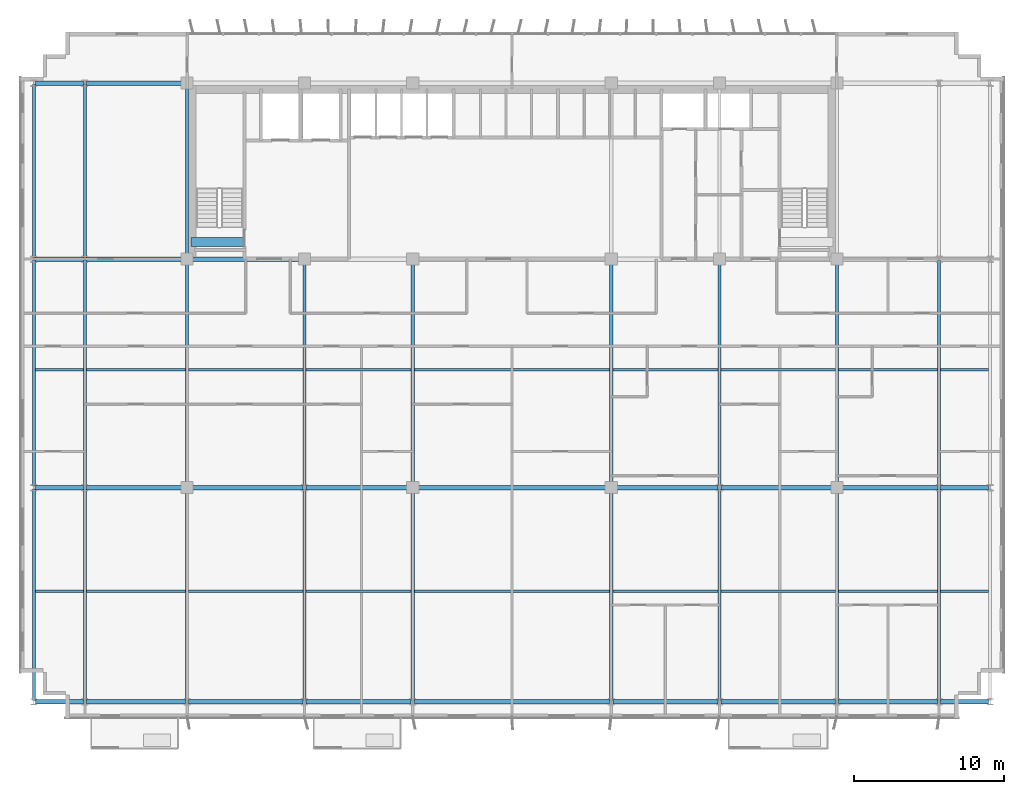
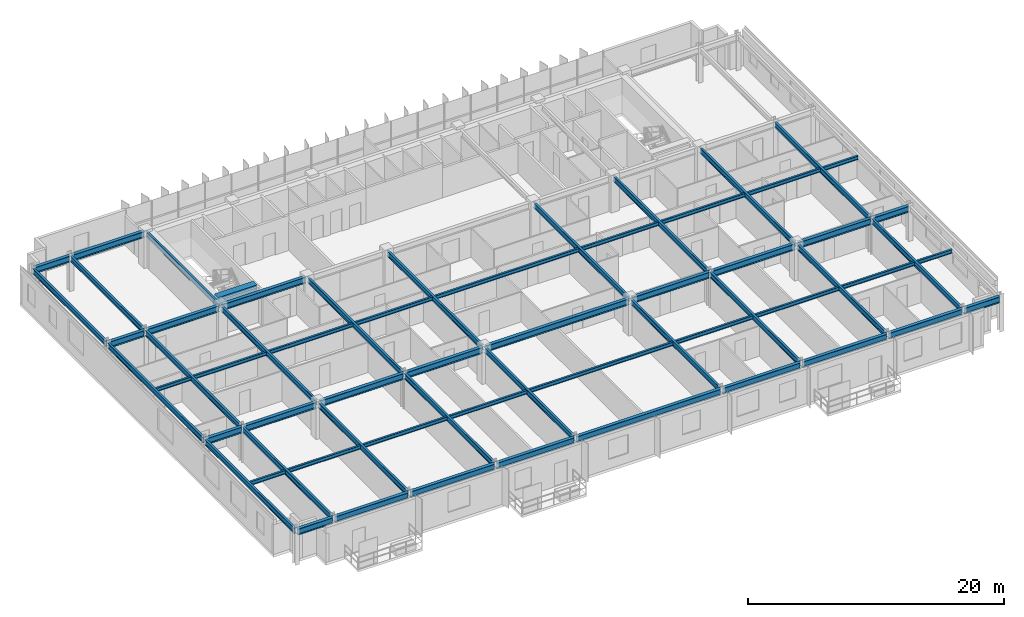
# One storey, part 4 of 21: 63 beams.
"""IFC4 building model written with IfcOpenShell, lengths in metres."""

from ifc_helpers import new_model, si_unit, direction, frame, origin, origin_2d, place, context, subcontext, project, spatial, rectangle, i_section, extrude, source, transform, mapped, material, material_profile, profile_set, type_object, element, save


model = new_model("IFC4")

# Units and contexts
model_context = context("Model", 3, precision=1e-05, world=origin(), true_north=direction((0.0, 1.0)))
body_context = subcontext(model_context, "Body", "Model", "MODEL_VIEW")
ifc_project = project(units=[si_unit("LENGTHUNIT", "METRE"), si_unit("AREAUNIT", "SQUARE_METRE"), si_unit("VOLUMEUNIT", "CUBIC_METRE"), si_unit("PLANEANGLEUNIT", "RADIAN"), si_unit("MASSUNIT", "GRAM", prefix="KILO")], contexts=[model_context])

# Site, building, storey
site_placement = place(None, origin())
site = spatial("IfcSite", under=ifc_project, at=site_placement, CompositionType="ELEMENT")
building_placement = place(site_placement, origin())
building = spatial("IfcBuilding", under=site, at=building_placement, Name="Trelvane Seafront Commons", CompositionType="ELEMENT")
storey_placement = place(building_placement, frame((0.0, 0.0, 106.89990234375)))
storey = spatial("IfcBuildingStorey", under=building, at=storey_placement, Name="L27", CompositionType="ELEMENT", Elevation=106.89990234375)

# Beams
ifc_material_1 = material(Name="Concrete C60/75", Category="concrete")
ifc_material_profile_1 = material_profile(ifc_material_1, rectangle(XDim=0.60009765625, YDim=0.89990234375, at=origin_2d()), Name="RC-600x900")
ifc_profile_set_1 = profile_set([ifc_material_profile_1], Name="Concrete C60/75")
beam_type_1 = type_object("IfcBeamType", Name="STR-LNT-RC600x900", PredefinedType="LINTEL", material=ifc_profile_set_1)
shared_shape_1 = source(origin(), body_context, "Body", "SweptSolid", [
    extrude(rectangle(XDim=0.60009765625, YDim=0.89990234375, at=origin_2d()), origin(), (0.0, 0.0, 1.0), 3.5498046875),
])
beam_1_placement = place(storey_placement, frame((15.85009765625, 34.550048828125, 2.89013671875), z_axis=(1.0, 0.0, 0.0), x_axis=(0.0, 1.0, 0.0)))
element("IfcBeam", 1, at=beam_1_placement, inside=storey, type_object=beam_type_1, Name="L27 Core Coupling Lintel Beam CB-85", PredefinedType="LINTEL", context=body_context, shape_type="MappedRepresentation", body=[
    mapped(shared_shape_1, transform((0.0, 0.0, 0.0), x_axis=(1.0, 0.0, 0.0), y_axis=(0.0, 1.0, 0.0), z_axis=(0.0, 0.0, 1.0), scale=1.0)),
])
ifc_material_2 = material(Name="Steel SM355 (S355)", Category="steel")
ifc_material_profile_2 = material_profile(ifc_material_2, i_section(OverallWidth=0.300048828125, OverallDepth=0.587890625, WebThickness=0.011962890625, FlangeThickness=0.02001953125, at=origin_2d()), Name="H-588x300x12x20")
ifc_profile_set_2 = profile_set([ifc_material_profile_2], Name="Steel SM355 (S355)")
beam_type_2 = type_object("IfcBeamType", Name="STR-BM-H588", PredefinedType="BEAM", material=ifc_profile_set_2)
shared_shape_2 = source(origin(), body_context, "Body", "SweptSolid", [
    extrude(i_section(OverallWidth=0.300048828125, OverallDepth=0.587890625, WebThickness=0.011962890625, FlangeThickness=0.02001953125, at=origin_2d()), origin(), (0.0, 0.0, 1.0), 7.550048828125),
])
beam_2_placement = place(storey_placement, frame((15.75, 18.199951171875, 3.046142578125), z_axis=(1.0, 0.0, 0.0), x_axis=(0.0, 1.0, 0.0)))
element("IfcBeam", 2, at=beam_2_placement, inside=storey, type_object=beam_type_2, Name="L27 Primary Girder G-12", PredefinedType="BEAM", context=body_context, shape_type="MappedRepresentation", body=[
    mapped(shared_shape_2, transform((0.0, 0.0, 0.0), x_axis=(1.0, 0.0, 0.0), y_axis=(0.0, 1.0, 0.0), z_axis=(0.0, 0.0, 1.0), scale=1.0)),
])
shared_shape_3 = source(origin(), body_context, "Body", "SweptSolid", [
    extrude(i_section(OverallWidth=0.300048828125, OverallDepth=0.587890625, WebThickness=0.011962890625, FlangeThickness=0.02001953125, at=origin_2d()), origin(), (0.0, 0.0, 1.0), 3.199951171875),
])
for number, where, z_axis, x_axis, name in (
    (3, (5.5, 3.949951171875, 3.046142578125), (1.0, 0.0, 0.0), (0.0, 1.0, 0.0), "L27 Primary Girder G-01"),
    (4, (65.699951171875, 3.949951171875, 3.046142578125), (1.0, 0.0, 0.0), (0.0, 1.0, 0.0), "L27 Primary Girder G-09"),
    (5, (5.5, 18.199951171875, 3.046142578125), (1.0, 0.0, 0.0), (0.0, 1.0, 0.0), "L27 Primary Girder G-10"),
    (6, (65.699951171875, 18.199951171875, 3.046142578125), (1.0, 0.0, 0.0), (0.0, 1.0, 0.0), "L27 Primary Girder G-18"),
    (7, (5.5, 33.39990234375, 3.046142578125), (1.0, 0.0, 0.0), (0.0, 1.0, 0.0), "L27 Primary Girder G-19"),
    (8, (5.5, 45.10009765625, 3.046142578125), (1.0, 0.0, 0.0), (0.0, 1.0, 0.0), "L27 Primary Girder G-28"),
):
    element("IfcBeam", number, at=place(storey_placement, frame(where, z_axis=z_axis, x_axis=x_axis)), inside=storey, type_object=beam_type_2, Name=name, PredefinedType="BEAM", context=body_context, shape_type="MappedRepresentation", body=[
        mapped(shared_shape_3, transform((0.0, 0.0, 0.0), x_axis=(1.0, 0.0, 0.0), y_axis=(0.0, 1.0, 0.0), z_axis=(0.0, 0.0, 1.0), scale=1.0)),
    ])
shared_shape_4 = source(origin(), body_context, "Body", "SweptSolid", [
    extrude(i_section(OverallWidth=0.300048828125, OverallDepth=0.587890625, WebThickness=0.011962890625, FlangeThickness=0.02001953125, at=origin_2d()), origin(), (0.0, 0.0, 1.0), 6.60009765625),
])
for number, where, z_axis, x_axis, name in (
    (9, (8.89990234375, 3.949951171875, 3.046142578125), (1.0, 0.0, 0.0), (0.0, 1.0, 0.0), "L27 Primary Girder G-02"),
    (10, (58.89990234375, 3.949951171875, 3.046142578125), (1.0, 0.0, 0.0), (0.0, 1.0, 0.0), "L27 Primary Girder G-08"),
):
    element("IfcBeam", number, at=place(storey_placement, frame(where, z_axis=z_axis, x_axis=x_axis)), inside=storey, type_object=beam_type_2, Name=name, PredefinedType="BEAM", context=body_context, shape_type="MappedRepresentation", body=[
        mapped(shared_shape_4, transform((0.0, 0.0, 0.0), x_axis=(1.0, 0.0, 0.0), y_axis=(0.0, 1.0, 0.0), z_axis=(0.0, 0.0, 1.0), scale=1.0)),
    ])
shared_shape_5 = source(origin(), body_context, "Body", "SweptSolid", [
    extrude(i_section(OverallWidth=0.300048828125, OverallDepth=0.587890625, WebThickness=0.011962890625, FlangeThickness=0.02001953125, at=origin_2d()), origin(), (0.0, 0.0, 1.0), 7.60009765625),
])
beam_3_placement = place(storey_placement, frame((15.699951171875, 3.949951171875, 3.046142578125), z_axis=(1.0, 0.0, 0.0), x_axis=(0.0, 1.0, 0.0)))
element("IfcBeam", 11, at=beam_3_placement, inside=storey, type_object=beam_type_2, Name="L27 Primary Girder G-03", PredefinedType="BEAM", context=body_context, shape_type="MappedRepresentation", body=[
    mapped(shared_shape_5, transform((0.0, 0.0, 0.0), x_axis=(1.0, 0.0, 0.0), y_axis=(0.0, 1.0, 0.0), z_axis=(0.0, 0.0, 1.0), scale=1.0)),
])
shared_shape_6 = source(origin(), body_context, "Body", "SweptSolid", [
    extrude(i_section(OverallWidth=0.300048828125, OverallDepth=0.587890625, WebThickness=0.011962890625, FlangeThickness=0.02001953125, at=origin_2d()), origin(), (0.0, 0.0, 1.0), 7.0),
])
for number, where, z_axis, x_axis, name in (
    (12, (23.5, 3.949951171875, 3.046142578125), (1.0, 0.0, 0.0), (0.0, 1.0, 0.0), "L27 Primary Girder G-04"),
    (13, (43.89990234375, 3.949951171875, 3.046142578125), (1.0, 0.0, 0.0), (0.0, 1.0, 0.0), "L27 Primary Girder G-06"),
):
    element("IfcBeam", number, at=place(storey_placement, frame(where, z_axis=z_axis, x_axis=x_axis)), inside=storey, type_object=beam_type_2, Name=name, PredefinedType="BEAM", context=body_context, shape_type="MappedRepresentation", body=[
        mapped(shared_shape_6, transform((0.0, 0.0, 0.0), x_axis=(1.0, 0.0, 0.0), y_axis=(0.0, 1.0, 0.0), z_axis=(0.0, 0.0, 1.0), scale=1.0)),
    ])
shared_shape_7 = source(origin(), body_context, "Body", "SweptSolid", [
    extrude(i_section(OverallWidth=0.300048828125, OverallDepth=0.587890625, WebThickness=0.011962890625, FlangeThickness=0.02001953125, at=origin_2d()), origin(), (0.0, 0.0, 1.0), 13.0),
])
beam_4_placement = place(storey_placement, frame((30.699951171875, 3.949951171875, 3.046142578125), z_axis=(1.0, 0.0, 0.0), x_axis=(0.0, 1.0, 0.0)))
element("IfcBeam", 14, at=beam_4_placement, inside=storey, type_object=beam_type_2, Name="L27 Primary Girder G-05", PredefinedType="BEAM", context=body_context, shape_type="MappedRepresentation", body=[
    mapped(shared_shape_7, transform((0.0, 0.0, 0.0), x_axis=(1.0, 0.0, 0.0), y_axis=(0.0, 1.0, 0.0), z_axis=(0.0, 0.0, 1.0), scale=1.0)),
])
shared_shape_8 = source(origin(), body_context, "Body", "SweptSolid", [
    extrude(i_section(OverallWidth=0.300048828125, OverallDepth=0.587890625, WebThickness=0.011962890625, FlangeThickness=0.02001953125, at=origin_2d()), origin(), (0.0, 0.0, 1.0), 7.599853515625),
])
beam_5_placement = place(storey_placement, frame((51.10009765625, 3.949951171875, 3.046142578125), z_axis=(1.0, 0.0, 0.0), x_axis=(0.0, 1.0, 0.0)))
element("IfcBeam", 15, at=beam_5_placement, inside=storey, type_object=beam_type_2, Name="L27 Primary Girder G-07", PredefinedType="BEAM", context=body_context, shape_type="MappedRepresentation", body=[
    mapped(shared_shape_8, transform((0.0, 0.0, 0.0), x_axis=(1.0, 0.0, 0.0), y_axis=(0.0, 1.0, 0.0), z_axis=(0.0, 0.0, 1.0), scale=1.0)),
])
shared_shape_9 = source(origin(), body_context, "Body", "SweptSolid", [
    extrude(i_section(OverallWidth=0.300048828125, OverallDepth=0.587890625, WebThickness=0.011962890625, FlangeThickness=0.02001953125, at=origin_2d()), origin(), (0.0, 0.0, 1.0), 6.550048828125),
])
for number, where, z_axis, x_axis, name in (
    (16, (8.89990234375, 18.199951171875, 3.046142578125), (1.0, 0.0, 0.0), (0.0, 1.0, 0.0), "L27 Primary Girder G-11"),
    (17, (58.949951171875, 18.199951171875, 3.046142578125), (1.0, 0.0, 0.0), (0.0, 1.0, 0.0), "L27 Primary Girder G-17"),
    (18, (8.89990234375, 33.39990234375, 3.046142578125), (1.0, 0.0, 0.0), (0.0, 1.0, 0.0), "L27 Primary Girder G-20"),
    (19, (8.89990234375, 45.10009765625, 3.046142578125), (1.0, 0.0, 0.0), (0.0, 1.0, 0.0), "L27 Primary Girder G-29"),
):
    element("IfcBeam", number, at=place(storey_placement, frame(where, z_axis=z_axis, x_axis=x_axis)), inside=storey, type_object=beam_type_2, Name=name, PredefinedType="BEAM", context=body_context, shape_type="MappedRepresentation", body=[
        mapped(shared_shape_9, transform((0.0, 0.0, 0.0), x_axis=(1.0, 0.0, 0.0), y_axis=(0.0, 1.0, 0.0), z_axis=(0.0, 0.0, 1.0), scale=1.0)),
    ])
shared_shape_10 = source(origin(), body_context, "Body", "SweptSolid", [
    extrude(i_section(OverallWidth=0.300048828125, OverallDepth=0.587890625, WebThickness=0.011962890625, FlangeThickness=0.02001953125, at=origin_2d()), origin(), (0.0, 0.0, 1.0), 6.949951171875),
])
for number, where, z_axis, x_axis, name in (
    (20, (23.5, 18.199951171875, 3.046142578125), (1.0, 0.0, 0.0), (0.0, 1.0, 0.0), "L27 Primary Girder G-13"),
    (21, (43.949951171875, 18.199951171875, 3.046142578125), (1.0, 0.0, 0.0), (0.0, 1.0, 0.0), "L27 Primary Girder G-15"),
):
    element("IfcBeam", number, at=place(storey_placement, frame(where, z_axis=z_axis, x_axis=x_axis)), inside=storey, type_object=beam_type_2, Name=name, PredefinedType="BEAM", context=body_context, shape_type="MappedRepresentation", body=[
        mapped(shared_shape_10, transform((0.0, 0.0, 0.0), x_axis=(1.0, 0.0, 0.0), y_axis=(0.0, 1.0, 0.0), z_axis=(0.0, 0.0, 1.0), scale=1.0)),
    ])
shared_shape_11 = source(origin(), body_context, "Body", "SweptSolid", [
    extrude(i_section(OverallWidth=0.300048828125, OverallDepth=0.587890625, WebThickness=0.011962890625, FlangeThickness=0.02001953125, at=origin_2d()), origin(), (0.0, 0.0, 1.0), 12.89990234375),
])
beam_6_placement = place(storey_placement, frame((30.75, 18.199951171875, 3.046142578125), z_axis=(1.0, 0.0, 0.0), x_axis=(0.0, 1.0, 0.0)))
element("IfcBeam", 22, at=beam_6_placement, inside=storey, type_object=beam_type_2, Name="L27 Primary Girder G-14", PredefinedType="BEAM", context=body_context, shape_type="MappedRepresentation", body=[
    mapped(shared_shape_11, transform((0.0, 0.0, 0.0), x_axis=(1.0, 0.0, 0.0), y_axis=(0.0, 1.0, 0.0), z_axis=(0.0, 0.0, 1.0), scale=1.0)),
])
shared_shape_12 = source(origin(), body_context, "Body", "SweptSolid", [
    extrude(i_section(OverallWidth=0.300048828125, OverallDepth=0.587890625, WebThickness=0.011962890625, FlangeThickness=0.02001953125, at=origin_2d()), origin(), (0.0, 0.0, 1.0), 7.5498046875),
])
beam_7_placement = place(storey_placement, frame((51.10009765625, 18.199951171875, 3.046142578125), z_axis=(1.0, 0.0, 0.0), x_axis=(0.0, 1.0, 0.0)))
element("IfcBeam", 23, at=beam_7_placement, inside=storey, type_object=beam_type_2, Name="L27 Primary Girder G-16", PredefinedType="BEAM", context=body_context, shape_type="MappedRepresentation", body=[
    mapped(shared_shape_12, transform((0.0, 0.0, 0.0), x_axis=(1.0, 0.0, 0.0), y_axis=(0.0, 1.0, 0.0), z_axis=(0.0, 0.0, 1.0), scale=1.0)),
])
shared_shape_13 = source(origin(), body_context, "Body", "SweptSolid", [
    extrude(i_section(OverallWidth=0.300048828125, OverallDepth=0.587890625, WebThickness=0.011962890625, FlangeThickness=0.02001953125, at=origin_2d()), origin(), (0.0, 0.0, 1.0), 7.5),
])
beam_8_placement = place(storey_placement, frame((15.75, 33.39990234375, 3.046142578125), z_axis=(1.0, 0.0, 0.0), x_axis=(0.0, 1.0, 0.0)))
element("IfcBeam", 24, at=beam_8_placement, inside=storey, type_object=beam_type_2, Name="L27 Primary Girder G-21", PredefinedType="BEAM", context=body_context, shape_type="MappedRepresentation", body=[
    mapped(shared_shape_13, transform((0.0, 0.0, 0.0), x_axis=(1.0, 0.0, 0.0), y_axis=(0.0, 1.0, 0.0), z_axis=(0.0, 0.0, 1.0), scale=1.0)),
])
ifc_material_profile_3 = material_profile(ifc_material_2, i_section(OverallWidth=0.199951171875, OverallDepth=0.5, WebThickness=0.010009765625, FlangeThickness=0.01611328125, at=origin_2d()), Name="H-500x200x10x16")
ifc_profile_set_3 = profile_set([ifc_material_profile_3], Name="Steel SM355 (S355)")
beam_type_3 = type_object("IfcBeamType", Name="STR-BM-H500", PredefinedType="BEAM", material=ifc_profile_set_3)
shared_shape_14 = source(origin(), body_context, "Body", "SweptSolid", [
    extrude(i_section(OverallWidth=0.199951171875, OverallDepth=0.5, WebThickness=0.010009765625, FlangeThickness=0.01611328125, at=origin_2d()), origin(), (0.0, 0.0, 1.0), 14.050048828125),
])
for number, where, z_axis, x_axis, name in (
    (25, (5.39990234375, 4.050048828125, 3.090087890625), (0.0, 1.0, 0.0), (-1.0, 0.0, 0.0), "L27 Primary Girder G-37"),
    (26, (8.800048828125, 4.050048828125, 3.090087890625), (0.0, 1.0, 0.0), (-1.0, 0.0, 0.0), "L27 Primary Girder G-40"),
    (27, (23.39990234375, 4.050048828125, 3.090087890625), (0.0, 1.0, 0.0), (-1.0, 0.0, 0.0), "L27 Primary Girder G-46"),
    (28, (51.0, 4.050048828125, 3.090087890625), (0.0, 1.0, 0.0), (-1.0, 0.0, 0.0), "L27 Primary Girder G-55"),
    (29, (65.60009765625, 4.050048828125, 3.090087890625), (0.0, 1.0, 0.0), (-1.0, 0.0, 0.0), "L27 Primary Girder G-61"),
):
    element("IfcBeam", number, at=place(storey_placement, frame(where, z_axis=z_axis, x_axis=x_axis)), inside=storey, type_object=beam_type_3, Name=name, PredefinedType="BEAM", context=body_context, shape_type="MappedRepresentation", body=[
        mapped(shared_shape_14, transform((0.0, 0.0, 0.0), x_axis=(1.0, 0.0, 0.0), y_axis=(0.0, 1.0, 0.0), z_axis=(0.0, 0.0, 1.0), scale=1.0)),
    ])
shared_shape_15 = source(origin(), body_context, "Body", "SweptSolid", [
    extrude(i_section(OverallWidth=0.199951171875, OverallDepth=0.5, WebThickness=0.010009765625, FlangeThickness=0.01611328125, at=origin_2d()), origin(), (0.0, 0.0, 1.0), 15.0),
])
for number, where, z_axis, x_axis, name in (
    (30, (5.39990234375, 18.300048828125, 3.090087890625), (0.0, 1.0, 0.0), (-1.0, 0.0, 0.0), "L27 Primary Girder G-38"),
    (31, (8.800048828125, 18.300048828125, 3.090087890625), (0.0, 1.0, 0.0), (-1.0, 0.0, 0.0), "L27 Primary Girder G-41"),
    (32, (65.60009765625, 18.300048828125, 3.090087890625), (0.0, 1.0, 0.0), (-1.0, 0.0, 0.0), "L27 Primary Girder G-62"),
):
    element("IfcBeam", number, at=place(storey_placement, frame(where, z_axis=z_axis, x_axis=x_axis)), inside=storey, type_object=beam_type_3, Name=name, PredefinedType="BEAM", context=body_context, shape_type="MappedRepresentation", body=[
        mapped(shared_shape_15, transform((0.0, 0.0, 0.0), x_axis=(1.0, 0.0, 0.0), y_axis=(0.0, 1.0, 0.0), z_axis=(0.0, 0.0, 1.0), scale=1.0)),
    ])
shared_shape_16 = source(origin(), body_context, "Body", "SweptSolid", [
    extrude(i_section(OverallWidth=0.199951171875, OverallDepth=0.5, WebThickness=0.010009765625, FlangeThickness=0.01611328125, at=origin_2d()), origin(), (0.0, 0.0, 1.0), 11.5),
])
for number, where, z_axis, x_axis, name in (
    (33, (5.39990234375, 33.5, 3.090087890625), (0.0, 1.0, 0.0), (-1.0, 0.0, 0.0), "L27 Primary Girder G-39"),
    (34, (8.800048828125, 33.5, 3.090087890625), (0.0, 1.0, 0.0), (-1.0, 0.0, 0.0), "L27 Primary Girder G-42"),
):
    element("IfcBeam", number, at=place(storey_placement, frame(where, z_axis=z_axis, x_axis=x_axis)), inside=storey, type_object=beam_type_3, Name=name, PredefinedType="BEAM", context=body_context, shape_type="MappedRepresentation", body=[
        mapped(shared_shape_16, transform((0.0, 0.0, 0.0), x_axis=(1.0, 0.0, 0.0), y_axis=(0.0, 1.0, 0.0), z_axis=(0.0, 0.0, 1.0), scale=1.0)),
    ])
shared_shape_17 = source(origin(), body_context, "Body", "SweptSolid", [
    extrude(i_section(OverallWidth=0.199951171875, OverallDepth=0.5, WebThickness=0.010009765625, FlangeThickness=0.01611328125, at=origin_2d()), origin(), (0.0, 0.0, 1.0), 14.0),
])
for number, where, z_axis, x_axis, name in (
    (35, (15.60009765625, 4.050048828125, 3.090087890625), (0.0, 1.0, 0.0), (-1.0, 0.0, 0.0), "L27 Primary Girder G-43"),
    (36, (30.60009765625, 4.050048828125, 3.090087890625), (0.0, 1.0, 0.0), (-1.0, 0.0, 0.0), "L27 Primary Girder G-49"),
    (37, (43.800048828125, 4.050048828125, 3.090087890625), (0.0, 1.0, 0.0), (-1.0, 0.0, 0.0), "L27 Primary Girder G-52"),
    (38, (58.800048828125, 4.050048828125, 3.090087890625), (0.0, 1.0, 0.0), (-1.0, 0.0, 0.0), "L27 Primary Girder G-58"),
):
    element("IfcBeam", number, at=place(storey_placement, frame(where, z_axis=z_axis, x_axis=x_axis)), inside=storey, type_object=beam_type_3, Name=name, PredefinedType="BEAM", context=body_context, shape_type="MappedRepresentation", body=[
        mapped(shared_shape_17, transform((0.0, 0.0, 0.0), x_axis=(1.0, 0.0, 0.0), y_axis=(0.0, 1.0, 0.0), z_axis=(0.0, 0.0, 1.0), scale=1.0)),
    ])
shared_shape_18 = source(origin(), body_context, "Body", "SweptSolid", [
    extrude(i_section(OverallWidth=0.199951171875, OverallDepth=0.5, WebThickness=0.010009765625, FlangeThickness=0.01611328125, at=origin_2d()), origin(), (0.0, 0.0, 1.0), 14.89990234375),
])
for number, where, z_axis, x_axis, name in (
    (39, (15.60009765625, 18.35009765625, 3.090087890625), (0.0, 1.0, 0.0), (-1.0, 0.0, 0.0), "L27 Primary Girder G-44"),
    (40, (30.60009765625, 18.35009765625, 3.090087890625), (0.0, 1.0, 0.0), (-1.0, 0.0, 0.0), "L27 Primary Girder G-50"),
    (41, (43.800048828125, 18.35009765625, 3.090087890625), (0.0, 1.0, 0.0), (-1.0, 0.0, 0.0), "L27 Primary Girder G-53"),
    (42, (58.800048828125, 18.35009765625, 3.090087890625), (0.0, 1.0, 0.0), (-1.0, 0.0, 0.0), "L27 Primary Girder G-59"),
):
    element("IfcBeam", number, at=place(storey_placement, frame(where, z_axis=z_axis, x_axis=x_axis)), inside=storey, type_object=beam_type_3, Name=name, PredefinedType="BEAM", context=body_context, shape_type="MappedRepresentation", body=[
        mapped(shared_shape_18, transform((0.0, 0.0, 0.0), x_axis=(1.0, 0.0, 0.0), y_axis=(0.0, 1.0, 0.0), z_axis=(0.0, 0.0, 1.0), scale=1.0)),
    ])
shared_shape_19 = source(origin(), body_context, "Body", "SweptSolid", [
    extrude(i_section(OverallWidth=0.199951171875, OverallDepth=0.5, WebThickness=0.010009765625, FlangeThickness=0.01611328125, at=origin_2d()), origin(), (0.0, 0.0, 1.0), 11.39990234375),
])
beam_9_placement = place(storey_placement, frame((15.60009765625, 33.550048828125, 3.090087890625), z_axis=(0.0, 1.0, 0.0), x_axis=(-1.0, 0.0, 0.0)))
element("IfcBeam", 43, at=beam_9_placement, inside=storey, type_object=beam_type_3, Name="L27 Primary Girder G-45", PredefinedType="BEAM", context=body_context, shape_type="MappedRepresentation", body=[
    mapped(shared_shape_19, transform((0.0, 0.0, 0.0), x_axis=(1.0, 0.0, 0.0), y_axis=(0.0, 1.0, 0.0), z_axis=(0.0, 0.0, 1.0), scale=1.0)),
])
shared_shape_20 = source(origin(), body_context, "Body", "SweptSolid", [
    extrude(i_section(OverallWidth=0.199951171875, OverallDepth=0.5, WebThickness=0.010009765625, FlangeThickness=0.01611328125, at=origin_2d()), origin(), (0.0, 0.0, 1.0), 14.949951171875),
])
for number, where, z_axis, x_axis, name in (
    (44, (23.39990234375, 18.300048828125, 3.090087890625), (0.0, 1.0, 0.0), (-1.0, 0.0, 0.0), "L27 Primary Girder G-47"),
    (45, (51.0, 18.300048828125, 3.090087890625), (0.0, 1.0, 0.0), (-1.0, 0.0, 0.0), "L27 Primary Girder G-56"),
):
    element("IfcBeam", number, at=place(storey_placement, frame(where, z_axis=z_axis, x_axis=x_axis)), inside=storey, type_object=beam_type_3, Name=name, PredefinedType="BEAM", context=body_context, shape_type="MappedRepresentation", body=[
        mapped(shared_shape_20, transform((0.0, 0.0, 0.0), x_axis=(1.0, 0.0, 0.0), y_axis=(0.0, 1.0, 0.0), z_axis=(0.0, 0.0, 1.0), scale=1.0)),
    ])
ifc_material_profile_4 = material_profile(ifc_material_2, i_section(OverallWidth=0.175048828125, OverallDepth=0.35009765625, WebThickness=0.007080078125, FlangeThickness=0.010986328125, at=origin_2d()), Name="H-350x175x7x11")
ifc_profile_set_4 = profile_set([ifc_material_profile_4], Name="Steel SM355 (S355)")
beam_type_4 = type_object("IfcBeamType", Name="STR-JST-H350", PredefinedType="JOIST", material=ifc_profile_set_4)
shared_shape_21 = source(origin(), body_context, "Body", "SweptSolid", [
    extrude(i_section(OverallWidth=0.175048828125, OverallDepth=0.35009765625, WebThickness=0.007080078125, FlangeThickness=0.010986328125, at=origin_2d()), origin(), (0.0, 0.0, 1.0), 3.199951171875),
])
for number, where, z_axis, x_axis, name in (
    (46, (5.5, 11.324951171875, 3.1650390625), (1.0, 0.0, 0.0), (0.0, 1.0, 0.0), "L27 Secondary Floor Joist B-67"),
    (47, (65.699951171875, 11.324951171875, 3.1650390625), (1.0, 0.0, 0.0), (0.0, 1.0, 0.0), "L27 Secondary Floor Joist B-75"),
    (48, (5.5, 26.050048828125, 3.1650390625), (1.0, 0.0, 0.0), (0.0, 1.0, 0.0), "L27 Secondary Floor Joist B-76"),
    (49, (65.699951171875, 26.050048828125, 3.1650390625), (1.0, 0.0, 0.0), (0.0, 1.0, 0.0), "L27 Secondary Floor Joist B-84"),
):
    element("IfcBeam", number, at=place(storey_placement, frame(where, z_axis=z_axis, x_axis=x_axis)), inside=storey, type_object=beam_type_4, Name=name, PredefinedType="JOIST", context=body_context, shape_type="MappedRepresentation", body=[
        mapped(shared_shape_21, transform((0.0, 0.0, 0.0), x_axis=(1.0, 0.0, 0.0), y_axis=(0.0, 1.0, 0.0), z_axis=(0.0, 0.0, 1.0), scale=1.0)),
    ])
shared_shape_22 = source(origin(), body_context, "Body", "SweptSolid", [
    extrude(i_section(OverallWidth=0.175048828125, OverallDepth=0.35009765625, WebThickness=0.007080078125, FlangeThickness=0.010986328125, at=origin_2d()), origin(), (0.0, 0.0, 1.0), 6.60009765625),
])
for number, where, z_axis, x_axis, name in (
    (50, (8.89990234375, 11.324951171875, 3.1650390625), (1.0, 0.0, 0.0), (0.0, 1.0, 0.0), "L27 Secondary Floor Joist B-68"),
    (51, (58.89990234375, 11.324951171875, 3.1650390625), (1.0, 0.0, 0.0), (0.0, 1.0, 0.0), "L27 Secondary Floor Joist B-74"),
    (52, (8.89990234375, 26.050048828125, 3.1650390625), (1.0, 0.0, 0.0), (0.0, 1.0, 0.0), "L27 Secondary Floor Joist B-77"),
    (53, (58.89990234375, 26.050048828125, 3.1650390625), (1.0, 0.0, 0.0), (0.0, 1.0, 0.0), "L27 Secondary Floor Joist B-83"),
):
    element("IfcBeam", number, at=place(storey_placement, frame(where, z_axis=z_axis, x_axis=x_axis)), inside=storey, type_object=beam_type_4, Name=name, PredefinedType="JOIST", context=body_context, shape_type="MappedRepresentation", body=[
        mapped(shared_shape_22, transform((0.0, 0.0, 0.0), x_axis=(1.0, 0.0, 0.0), y_axis=(0.0, 1.0, 0.0), z_axis=(0.0, 0.0, 1.0), scale=1.0)),
    ])
shared_shape_23 = source(origin(), body_context, "Body", "SweptSolid", [
    extrude(i_section(OverallWidth=0.175048828125, OverallDepth=0.35009765625, WebThickness=0.007080078125, FlangeThickness=0.010986328125, at=origin_2d()), origin(), (0.0, 0.0, 1.0), 7.60009765625),
])
for number, where, z_axis, x_axis, name in (
    (54, (15.699951171875, 11.324951171875, 3.1650390625), (1.0, 0.0, 0.0), (0.0, 1.0, 0.0), "L27 Secondary Floor Joist B-69"),
    (55, (15.699951171875, 26.050048828125, 3.1650390625), (1.0, 0.0, 0.0), (0.0, 1.0, 0.0), "L27 Secondary Floor Joist B-78"),
):
    element("IfcBeam", number, at=place(storey_placement, frame(where, z_axis=z_axis, x_axis=x_axis)), inside=storey, type_object=beam_type_4, Name=name, PredefinedType="JOIST", context=body_context, shape_type="MappedRepresentation", body=[
        mapped(shared_shape_23, transform((0.0, 0.0, 0.0), x_axis=(1.0, 0.0, 0.0), y_axis=(0.0, 1.0, 0.0), z_axis=(0.0, 0.0, 1.0), scale=1.0)),
    ])
shared_shape_24 = source(origin(), body_context, "Body", "SweptSolid", [
    extrude(i_section(OverallWidth=0.175048828125, OverallDepth=0.35009765625, WebThickness=0.007080078125, FlangeThickness=0.010986328125, at=origin_2d()), origin(), (0.0, 0.0, 1.0), 7.0),
])
for number, where, z_axis, x_axis, name in (
    (56, (23.5, 11.324951171875, 3.1650390625), (1.0, 0.0, 0.0), (0.0, 1.0, 0.0), "L27 Secondary Floor Joist B-70"),
    (57, (43.89990234375, 11.324951171875, 3.1650390625), (1.0, 0.0, 0.0), (0.0, 1.0, 0.0), "L27 Secondary Floor Joist B-72"),
    (58, (23.5, 26.050048828125, 3.1650390625), (1.0, 0.0, 0.0), (0.0, 1.0, 0.0), "L27 Secondary Floor Joist B-79"),
    (59, (43.89990234375, 26.050048828125, 3.1650390625), (1.0, 0.0, 0.0), (0.0, 1.0, 0.0), "L27 Secondary Floor Joist B-81"),
):
    element("IfcBeam", number, at=place(storey_placement, frame(where, z_axis=z_axis, x_axis=x_axis)), inside=storey, type_object=beam_type_4, Name=name, PredefinedType="JOIST", context=body_context, shape_type="MappedRepresentation", body=[
        mapped(shared_shape_24, transform((0.0, 0.0, 0.0), x_axis=(1.0, 0.0, 0.0), y_axis=(0.0, 1.0, 0.0), z_axis=(0.0, 0.0, 1.0), scale=1.0)),
    ])
shared_shape_25 = source(origin(), body_context, "Body", "SweptSolid", [
    extrude(i_section(OverallWidth=0.175048828125, OverallDepth=0.35009765625, WebThickness=0.007080078125, FlangeThickness=0.010986328125, at=origin_2d()), origin(), (0.0, 0.0, 1.0), 13.0),
])
for number, where, z_axis, x_axis, name in (
    (60, (30.699951171875, 11.324951171875, 3.1650390625), (1.0, 0.0, 0.0), (0.0, 1.0, 0.0), "L27 Secondary Floor Joist B-71"),
    (61, (30.699951171875, 26.050048828125, 3.1650390625), (1.0, 0.0, 0.0), (0.0, 1.0, 0.0), "L27 Secondary Floor Joist B-80"),
):
    element("IfcBeam", number, at=place(storey_placement, frame(where, z_axis=z_axis, x_axis=x_axis)), inside=storey, type_object=beam_type_4, Name=name, PredefinedType="JOIST", context=body_context, shape_type="MappedRepresentation", body=[
        mapped(shared_shape_25, transform((0.0, 0.0, 0.0), x_axis=(1.0, 0.0, 0.0), y_axis=(0.0, 1.0, 0.0), z_axis=(0.0, 0.0, 1.0), scale=1.0)),
    ])
shared_shape_26 = source(origin(), body_context, "Body", "SweptSolid", [
    extrude(i_section(OverallWidth=0.175048828125, OverallDepth=0.35009765625, WebThickness=0.007080078125, FlangeThickness=0.010986328125, at=origin_2d()), origin(), (0.0, 0.0, 1.0), 7.599853515625),
])
for number, where, z_axis, x_axis, name in (
    (62, (51.10009765625, 11.324951171875, 3.1650390625), (1.0, 0.0, 0.0), (0.0, 1.0, 0.0), "L27 Secondary Floor Joist B-73"),
    (63, (51.10009765625, 26.050048828125, 3.1650390625), (1.0, 0.0, 0.0), (0.0, 1.0, 0.0), "L27 Secondary Floor Joist B-82"),
):
    element("IfcBeam", number, at=place(storey_placement, frame(where, z_axis=z_axis, x_axis=x_axis)), inside=storey, type_object=beam_type_4, Name=name, PredefinedType="JOIST", context=body_context, shape_type="MappedRepresentation", body=[
        mapped(shared_shape_26, transform((0.0, 0.0, 0.0), x_axis=(1.0, 0.0, 0.0), y_axis=(0.0, 1.0, 0.0), z_axis=(0.0, 0.0, 1.0), scale=1.0)),
    ])

save(model, "model.ifc")
